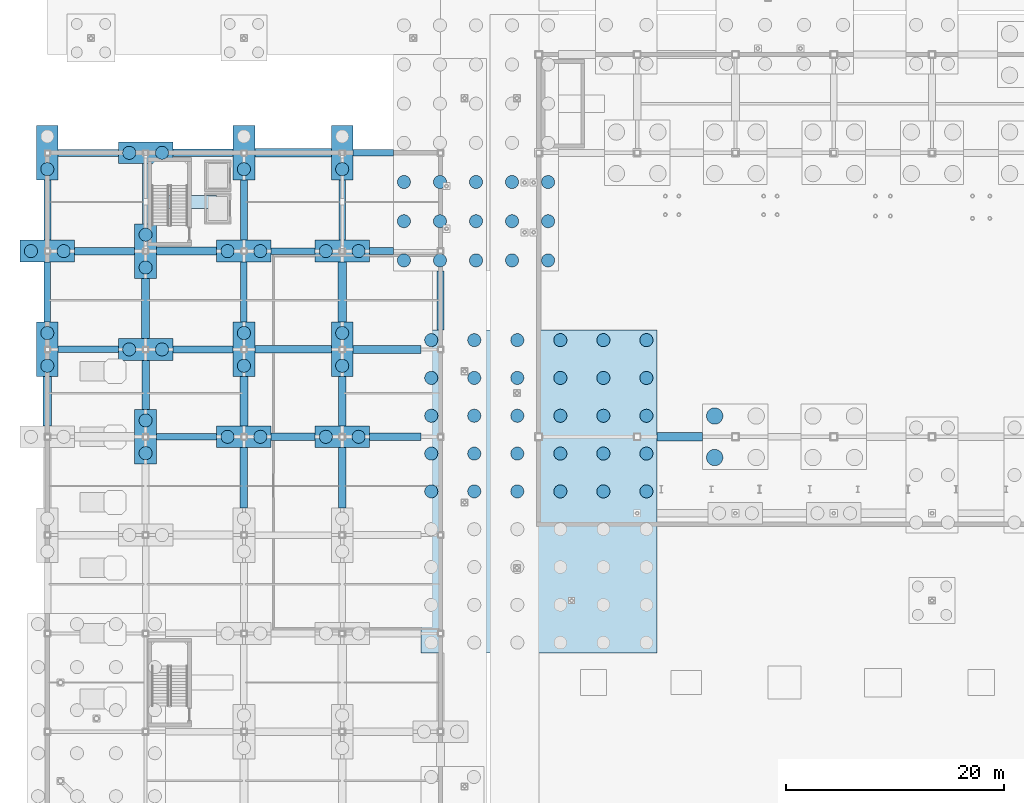
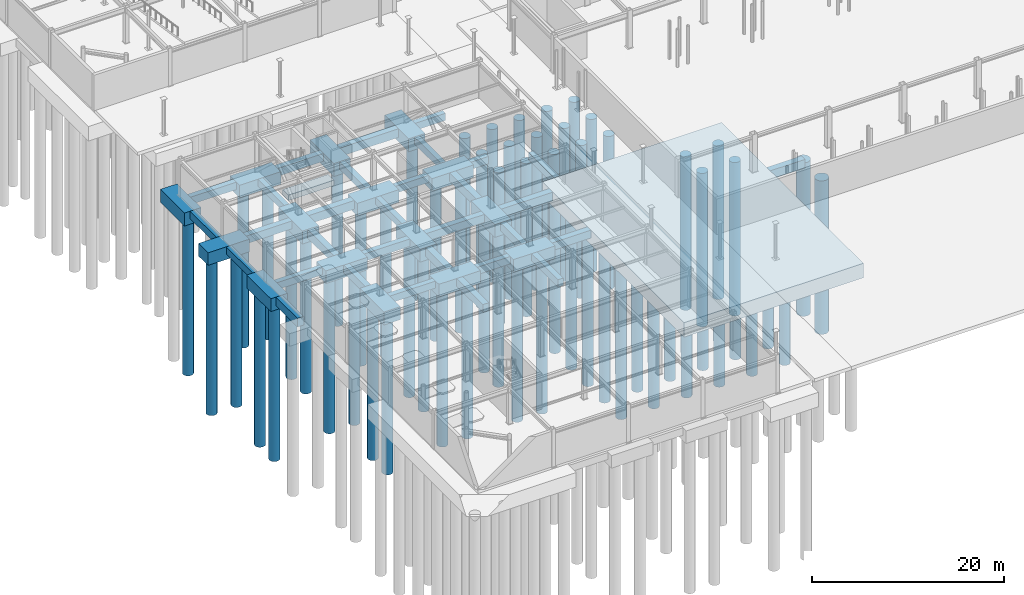
# One storey, part 2 of 74: 74 piles, 48 footings.
"""IFC4 building model written with IfcOpenShell, lengths in metres."""

from ifc_helpers import new_model, si_unit, direction, frame, origin, origin_2d, place, context, subcontext, project, spatial, polyline, rectangle, circle, outline, extrude, material, material_profile, profile_set, type_object, element, save


model = new_model("IFC4")

# Units and contexts
model_context = context("Model", 3, precision=1e-05, world=origin(), true_north=direction((0.0, 1.0)))
body_context = subcontext(model_context, "Body", "Model", "MODEL_VIEW")
ifc_project = project(units=[si_unit("LENGTHUNIT", "METRE"), si_unit("AREAUNIT", "SQUARE_METRE"), si_unit("VOLUMEUNIT", "CUBIC_METRE"), si_unit("PLANEANGLEUNIT", "RADIAN"), si_unit("MASSUNIT", "GRAM", prefix="KILO")], contexts=[model_context])

# Site, building, storey
site_placement = place(None, origin())
site = spatial("IfcSite", under=ifc_project, at=site_placement, CompositionType="ELEMENT")
building_placement = place(site_placement, origin())
building = spatial("IfcBuilding", under=site, at=building_placement, Name="Suzunagisa Mobility Hub", CompositionType="ELEMENT")
storey_placement = place(building_placement, frame((0.0, 0.0, -4.800048828125)))
storey = spatial("IfcBuildingStorey", under=building, at=storey_placement, Name="B1", CompositionType="ELEMENT", Elevation=-4.800048828125)

# Piles
ifc_material_1 = material(Name="Concrete C30/37", Category="concrete")
ifc_material_profile_1 = material_profile(ifc_material_1, circle(Radius=0.60009765625, at=origin_2d()), Name="BORED PILE D1200")
ifc_profile_set_1 = profile_set([ifc_material_profile_1], Name="Concrete C30/37")
pile_type_1 = type_object("IfcPileType", Name="Bored Pile PL-01 D1200", PredefinedType="BORED", material=ifc_profile_set_1)
for number, where, z_axis, x_axis, name in (
    (1, (0.0, 42.5, -1.919921875), (0.0, 0.0, -1.0), (1.0, 0.0, 0.0), "Bored Pile 4.1"),
    (2, (0.0, 45.5, -1.919921875), (0.0, 0.0, -1.0), (1.0, 0.0, 0.0), "Bored Pile 4.2"),
):
    element("IfcPile", number, at=place(storey_placement, frame(where, z_axis=z_axis, x_axis=x_axis)), inside=storey, type_object=pile_type_1, Name=name, PredefinedType="BORED", context=body_context, shape_type="SweptSolid", body=[
        extrude(circle(Radius=0.60009765625, at=origin_2d()), origin(), (0.0, 0.0, 1.0), 19.780029296875),
    ])
for number, where, z_axis, x_axis, name in (
    (3, (-1.5, 53.0, -1.869873046875), (0.0, 0.0, -1.0), (1.0, 0.0, 0.0), "Bored Pile 5.1"),
    (4, (1.5, 53.0, -1.869873046875), (0.0, 0.0, -1.0), (1.0, 0.0, 0.0), "Bored Pile 5.2"),
):
    element("IfcPile", number, at=place(storey_placement, frame(where, z_axis=z_axis, x_axis=x_axis)), inside=storey, type_object=pile_type_1, Name=name, PredefinedType="BORED", context=body_context, shape_type="SweptSolid", body=[
        extrude(circle(Radius=0.60009765625, at=origin_2d()), origin(), (0.0, 0.0, 1.0), 19.830078125),
    ])
for number, where, z_axis, x_axis, name in (
    (5, (0.0, 60.5, -1.919921875), (0.0, 0.0, -1.0), (1.0, 0.0, 0.0), "Bored Pile 6.1"),
    (6, (9.0, 34.5, -1.919921875), (0.0, 0.0, -1.0), (1.0, 0.0, 0.0), "Bored Pile 12.1"),
    (7, (9.0, 37.5, -1.919921875), (0.0, 0.0, -1.0), (1.0, 0.0, 0.0), "Bored Pile 12.2"),
):
    element("IfcPile", number, at=place(storey_placement, frame(where, z_axis=z_axis, x_axis=x_axis)), inside=storey, type_object=pile_type_1, Name=name, PredefinedType="BORED", context=body_context, shape_type="SweptSolid", body=[
        extrude(circle(Radius=0.60009765625, at=origin_2d()), origin(), (0.0, 0.0, 1.0), 19.780029296875),
    ])
for number, where, z_axis, x_axis, name in (
    (8, (7.5, 44.0, -1.869873046875), (0.0, 0.0, -1.0), (1.0, 0.0, 0.0), "Bored Pile 13.1"),
    (9, (10.5, 44.0, -1.869873046875), (0.0, 0.0, -1.0), (1.0, 0.0, 0.0), "Bored Pile 13.2"),
):
    element("IfcPile", number, at=place(storey_placement, frame(where, z_axis=z_axis, x_axis=x_axis)), inside=storey, type_object=pile_type_1, Name=name, PredefinedType="BORED", context=body_context, shape_type="SweptSolid", body=[
        extrude(circle(Radius=0.60009765625, at=origin_2d()), origin(), (0.0, 0.0, 1.0), 19.830078125),
    ])
for number, where, z_axis, x_axis, name in (
    (10, (9.0, 51.5, -1.919921875), (0.0, 0.0, -1.0), (1.0, 0.0, 0.0), "Bored Pile 14.1"),
    (11, (9.0, 54.5, -1.919921875), (0.0, 0.0, -1.0), (1.0, 0.0, 0.0), "Bored Pile 14.2"),
):
    element("IfcPile", number, at=place(storey_placement, frame(where, z_axis=z_axis, x_axis=x_axis)), inside=storey, type_object=pile_type_1, Name=name, PredefinedType="BORED", context=body_context, shape_type="SweptSolid", body=[
        extrude(circle(Radius=0.60009765625, at=origin_2d()), origin(), (0.0, 0.0, 1.0), 19.780029296875),
    ])
for number, where, z_axis, x_axis, name in (
    (12, (7.5, 62.0, -1.869873046875), (0.0, 0.0, -1.0), (1.0, 0.0, 0.0), "Bored Pile 15.1"),
    (13, (10.5, 62.0, -1.869873046875), (0.0, 0.0, -1.0), (1.0, 0.0, 0.0), "Bored Pile 15.2"),
    (14, (16.5, 36.0, -1.869873046875), (0.0, 0.0, -1.0), (1.0, 0.0, 0.0), "Bored Pile 21.1"),
    (15, (19.5, 36.0, -1.869873046875), (0.0, 0.0, -1.0), (1.0, 0.0, 0.0), "Bored Pile 21.2"),
):
    element("IfcPile", number, at=place(storey_placement, frame(where, z_axis=z_axis, x_axis=x_axis)), inside=storey, type_object=pile_type_1, Name=name, PredefinedType="BORED", context=body_context, shape_type="SweptSolid", body=[
        extrude(circle(Radius=0.60009765625, at=origin_2d()), origin(), (0.0, 0.0, 1.0), 19.830078125),
    ])
for number, where, z_axis, x_axis, name in (
    (16, (18.0, 42.5, -1.919921875), (0.0, 0.0, -1.0), (1.0, 0.0, 0.0), "Bored Pile 22.1"),
    (17, (18.0, 45.5, -1.919921875), (0.0, 0.0, -1.0), (1.0, 0.0, 0.0), "Bored Pile 22.2"),
):
    element("IfcPile", number, at=place(storey_placement, frame(where, z_axis=z_axis, x_axis=x_axis)), inside=storey, type_object=pile_type_1, Name=name, PredefinedType="BORED", context=body_context, shape_type="SweptSolid", body=[
        extrude(circle(Radius=0.60009765625, at=origin_2d()), origin(), (0.0, 0.0, 1.0), 19.780029296875),
    ])
for number, where, z_axis, x_axis, name in (
    (18, (16.5, 53.0, -1.869873046875), (0.0, 0.0, -1.0), (1.0, 0.0, 0.0), "Bored Pile 23.1"),
    (19, (19.5, 53.0, -1.869873046875), (0.0, 0.0, -1.0), (1.0, 0.0, 0.0), "Bored Pile 23.2"),
):
    element("IfcPile", number, at=place(storey_placement, frame(where, z_axis=z_axis, x_axis=x_axis)), inside=storey, type_object=pile_type_1, Name=name, PredefinedType="BORED", context=body_context, shape_type="SweptSolid", body=[
        extrude(circle(Radius=0.60009765625, at=origin_2d()), origin(), (0.0, 0.0, 1.0), 19.830078125),
    ])
pile_1_placement = place(storey_placement, frame((18.0, 60.5, -1.919921875), z_axis=(0.0, 0.0, -1.0), x_axis=(1.0, 0.0, 0.0)))
element("IfcPile", 20, at=pile_1_placement, inside=storey, type_object=pile_type_1, Name="Bored Pile 24.1", PredefinedType="BORED", context=body_context, shape_type="SweptSolid", body=[
    extrude(circle(Radius=0.60009765625, at=origin_2d()), origin(), (0.0, 0.0, 1.0), 19.780029296875),
])
for number, where, z_axis, x_axis, name in (
    (21, (25.5, 36.0, -1.869873046875), (0.0, 0.0, -1.0), (1.0, 0.0, 0.0), "Bored Pile 31.1"),
    (22, (28.5, 36.0, -1.869873046875), (0.0, 0.0, -1.0), (1.0, 0.0, 0.0), "Bored Pile 31.2"),
):
    element("IfcPile", number, at=place(storey_placement, frame(where, z_axis=z_axis, x_axis=x_axis)), inside=storey, type_object=pile_type_1, Name=name, PredefinedType="BORED", context=body_context, shape_type="SweptSolid", body=[
        extrude(circle(Radius=0.60009765625, at=origin_2d()), origin(), (0.0, 0.0, 1.0), 19.830078125),
    ])
for number, where, z_axis, x_axis, name in (
    (23, (27.0, 42.5, -1.919921875), (0.0, 0.0, -1.0), (1.0, 0.0, 0.0), "Bored Pile 32.1"),
    (24, (27.0, 45.5, -1.919921875), (0.0, 0.0, -1.0), (1.0, 0.0, 0.0), "Bored Pile 32.2"),
):
    element("IfcPile", number, at=place(storey_placement, frame(where, z_axis=z_axis, x_axis=x_axis)), inside=storey, type_object=pile_type_1, Name=name, PredefinedType="BORED", context=body_context, shape_type="SweptSolid", body=[
        extrude(circle(Radius=0.60009765625, at=origin_2d()), origin(), (0.0, 0.0, 1.0), 19.780029296875),
    ])
for number, where, z_axis, x_axis, name in (
    (25, (25.5, 53.0, -1.869873046875), (0.0, 0.0, -1.0), (1.0, 0.0, 0.0), "Bored Pile 33.1"),
    (26, (28.5, 53.0, -1.869873046875), (0.0, 0.0, -1.0), (1.0, 0.0, 0.0), "Bored Pile 33.2"),
):
    element("IfcPile", number, at=place(storey_placement, frame(where, z_axis=z_axis, x_axis=x_axis)), inside=storey, type_object=pile_type_1, Name=name, PredefinedType="BORED", context=body_context, shape_type="SweptSolid", body=[
        extrude(circle(Radius=0.60009765625, at=origin_2d()), origin(), (0.0, 0.0, 1.0), 19.830078125),
    ])
pile_2_placement = place(storey_placement, frame((27.0, 60.5, -1.919921875), z_axis=(0.0, 0.0, -1.0), x_axis=(1.0, 0.0, 0.0)))
element("IfcPile", 27, at=pile_2_placement, inside=storey, type_object=pile_type_1, Name="Bored Pile 34.1", PredefinedType="BORED", context=body_context, shape_type="SweptSolid", body=[
    extrude(circle(Radius=0.60009765625, at=origin_2d()), origin(), (0.0, 0.0, 1.0), 19.780029296875),
])
for number, where, z_axis, x_axis, name in (
    (28, (32.64990234375, 52.14990234375, -2.199951171875), (0.0, 0.0, -1.0), (1.0, 0.0, 0.0), "Bored Pile 35.1"),
    (29, (32.64990234375, 55.737548828125, -2.199951171875), (0.0, 0.0, -1.0), (1.0, 0.0, 0.0), "Bored Pile 35.2"),
    (30, (32.64990234375, 59.324951171875, -2.199951171875), (0.0, 0.0, -1.0), (1.0, 0.0, 0.0), "Bored Pile 35.3"),
    (31, (35.949951171875, 52.14990234375, -2.199951171875), (0.0, 0.0, -1.0), (1.0, 0.0, 0.0), "Bored Pile 35.10"),
    (32, (35.949951171875, 55.737548828125, -2.199951171875), (0.0, 0.0, -1.0), (1.0, 0.0, 0.0), "Bored Pile 35.11"),
    (33, (35.949951171875, 59.324951171875, -2.199951171875), (0.0, 0.0, -1.0), (1.0, 0.0, 0.0), "Bored Pile 35.12"),
    (34, (39.25, 52.14990234375, -2.199951171875), (0.0, 0.0, -1.0), (1.0, 0.0, 0.0), "Bored Pile 35.19"),
    (35, (39.25, 55.737548828125, -2.199951171875), (0.0, 0.0, -1.0), (1.0, 0.0, 0.0), "Bored Pile 35.20"),
    (36, (39.25, 59.324951171875, -2.199951171875), (0.0, 0.0, -1.0), (1.0, 0.0, 0.0), "Bored Pile 35.21"),
    (37, (42.550048828125, 52.14990234375, -2.199951171875), (0.0, 0.0, -1.0), (1.0, 0.0, 0.0), "Bored Pile 35.28"),
    (38, (42.550048828125, 55.737548828125, -2.199951171875), (0.0, 0.0, -1.0), (1.0, 0.0, 0.0), "Bored Pile 35.29"),
    (39, (42.550048828125, 59.324951171875, -2.199951171875), (0.0, 0.0, -1.0), (1.0, 0.0, 0.0), "Bored Pile 35.30"),
    (40, (45.85009765625, 52.14990234375, -2.199951171875), (0.0, 0.0, -1.0), (1.0, 0.0, 0.0), "Bored Pile 35.37"),
    (41, (45.85009765625, 55.737548828125, -2.199951171875), (0.0, 0.0, -1.0), (1.0, 0.0, 0.0), "Bored Pile 35.38"),
    (42, (45.85009765625, 59.324951171875, -2.199951171875), (0.0, 0.0, -1.0), (1.0, 0.0, 0.0), "Bored Pile 35.39"),
):
    element("IfcPile", number, at=place(storey_placement, frame(where, z_axis=z_axis, x_axis=x_axis)), inside=storey, type_object=pile_type_1, Name=name, PredefinedType="BORED", context=body_context, shape_type="SweptSolid", body=[
        extrude(circle(Radius=0.60009765625, at=origin_2d()), origin(), (0.0, 0.0, 1.0), 19.5),
    ])
for number, where, z_axis, x_axis, name in (
    (43, (35.14990234375, 31.0, -2.14990234375), (0.0, 0.0, -1.0), (1.0, 0.0, 0.0), "Bored Pile 38.5"),
    (44, (35.14990234375, 34.46240234375, -2.14990234375), (0.0, 0.0, -1.0), (1.0, 0.0, 0.0), "Bored Pile 38.6"),
    (45, (35.14990234375, 37.925048828125, -2.14990234375), (0.0, 0.0, -1.0), (1.0, 0.0, 0.0), "Bored Pile 38.7"),
    (46, (35.14990234375, 41.387451171875, -2.14990234375), (0.0, 0.0, -1.0), (1.0, 0.0, 0.0), "Bored Pile 38.8"),
    (47, (35.14990234375, 44.85009765625, -2.14990234375), (0.0, 0.0, -1.0), (1.0, 0.0, 0.0), "Bored Pile 38.9"),
    (48, (39.090087890625, 31.0, -2.14990234375), (0.0, 0.0, -1.0), (1.0, 0.0, 0.0), "Bored Pile 38.14"),
    (49, (39.090087890625, 34.46240234375, -2.14990234375), (0.0, 0.0, -1.0), (1.0, 0.0, 0.0), "Bored Pile 38.15"),
    (50, (39.090087890625, 37.925048828125, -2.14990234375), (0.0, 0.0, -1.0), (1.0, 0.0, 0.0), "Bored Pile 38.16"),
    (51, (39.090087890625, 41.387451171875, -2.14990234375), (0.0, 0.0, -1.0), (1.0, 0.0, 0.0), "Bored Pile 38.17"),
    (52, (39.090087890625, 44.85009765625, -2.14990234375), (0.0, 0.0, -1.0), (1.0, 0.0, 0.0), "Bored Pile 38.18"),
    (53, (43.030029296875, 31.0, -2.14990234375), (0.0, 0.0, -1.0), (1.0, 0.0, 0.0), "Bored Pile 38.23"),
    (54, (43.030029296875, 34.46240234375, -2.14990234375), (0.0, 0.0, -1.0), (1.0, 0.0, 0.0), "Bored Pile 38.24"),
    (55, (43.030029296875, 37.925048828125, -2.14990234375), (0.0, 0.0, -1.0), (1.0, 0.0, 0.0), "Bored Pile 38.25"),
    (56, (43.030029296875, 41.387451171875, -2.14990234375), (0.0, 0.0, -1.0), (1.0, 0.0, 0.0), "Bored Pile 38.26"),
    (57, (43.030029296875, 44.85009765625, -2.14990234375), (0.0, 0.0, -1.0), (1.0, 0.0, 0.0), "Bored Pile 38.27"),
    (58, (46.969970703125, 31.0, -2.14990234375), (0.0, 0.0, -1.0), (1.0, 0.0, 0.0), "Bored Pile 38.32"),
    (59, (46.969970703125, 34.46240234375, -2.14990234375), (0.0, 0.0, -1.0), (1.0, 0.0, 0.0), "Bored Pile 38.33"),
    (60, (46.969970703125, 37.925048828125, -2.14990234375), (0.0, 0.0, -1.0), (1.0, 0.0, 0.0), "Bored Pile 38.34"),
    (61, (46.969970703125, 41.387451171875, -2.14990234375), (0.0, 0.0, -1.0), (1.0, 0.0, 0.0), "Bored Pile 38.35"),
    (62, (46.969970703125, 44.85009765625, -2.14990234375), (0.0, 0.0, -1.0), (1.0, 0.0, 0.0), "Bored Pile 38.36"),
    (63, (50.909912109375, 31.0, -2.14990234375), (0.0, 0.0, -1.0), (1.0, 0.0, 0.0), "Bored Pile 38.41"),
    (64, (50.909912109375, 34.46240234375, -2.14990234375), (0.0, 0.0, -1.0), (1.0, 0.0, 0.0), "Bored Pile 38.42"),
    (65, (50.909912109375, 37.925048828125, -2.14990234375), (0.0, 0.0, -1.0), (1.0, 0.0, 0.0), "Bored Pile 38.43"),
    (66, (50.909912109375, 41.387451171875, -2.14990234375), (0.0, 0.0, -1.0), (1.0, 0.0, 0.0), "Bored Pile 38.44"),
    (67, (50.909912109375, 44.85009765625, -2.14990234375), (0.0, 0.0, -1.0), (1.0, 0.0, 0.0), "Bored Pile 38.45"),
    (68, (54.85009765625, 31.0, -2.14990234375), (0.0, 0.0, -1.0), (1.0, 0.0, 0.0), "Bored Pile 38.50"),
    (69, (54.85009765625, 34.46240234375, -2.14990234375), (0.0, 0.0, -1.0), (1.0, 0.0, 0.0), "Bored Pile 38.51"),
    (70, (54.85009765625, 37.925048828125, -2.14990234375), (0.0, 0.0, -1.0), (1.0, 0.0, 0.0), "Bored Pile 38.52"),
    (71, (54.85009765625, 41.387451171875, -2.14990234375), (0.0, 0.0, -1.0), (1.0, 0.0, 0.0), "Bored Pile 38.53"),
    (72, (54.85009765625, 44.85009765625, -2.14990234375), (0.0, 0.0, -1.0), (1.0, 0.0, 0.0), "Bored Pile 38.54"),
):
    element("IfcPile", number, at=place(storey_placement, frame(where, z_axis=z_axis, x_axis=x_axis)), inside=storey, type_object=pile_type_1, Name=name, PredefinedType="BORED", context=body_context, shape_type="SweptSolid", body=[
        extrude(circle(Radius=0.60009765625, at=origin_2d()), origin(), (0.0, 0.0, 1.0), 19.550048828125),
    ])
ifc_material_profile_2 = material_profile(ifc_material_1, circle(Radius=0.75, at=origin_2d()), Name="BORED PILE D1500")
ifc_profile_set_2 = profile_set([ifc_material_profile_2], Name="Concrete C30/37")
pile_type_2 = type_object("IfcPileType", Name="Bored Pile PL-03 D1500", PredefinedType="BORED", material=ifc_profile_set_2)
for number, where, z_axis, x_axis, name in (
    (73, (61.10009765625, 34.10009765625, -2.14990234375), (0.0, 0.0, -1.0), (1.0, 0.0, 0.0), "Bored Pile 50.1"),
    (74, (61.10009765625, 37.89990234375, -2.14990234375), (0.0, 0.0, -1.0), (1.0, 0.0, 0.0), "Bored Pile 50.3"),
):
    element("IfcPile", number, at=place(storey_placement, frame(where, z_axis=z_axis, x_axis=x_axis)), inside=storey, type_object=pile_type_2, Name=name, PredefinedType="BORED", context=body_context, shape_type="SweptSolid", body=[
        extrude(circle(Radius=0.75, at=origin_2d()), origin(), (0.0, 0.0, 1.0), 19.550048828125),
    ])

# Footings
ifc_material_2 = material(Name="Concrete C35/45", Category="concrete")
footing_type_1 = type_object("IfcFootingType", Name="Combined Prow Pile Cap FR-08 21600x29600x1850", PredefinedType="PILE_CAP", material=ifc_material_2)
footing_1_placement = place(storey_placement, frame((45.0, 31.0, -2.300048828125), z_axis=(0.0, 0.0, 1.0), x_axis=(1.0, 0.0, 0.0)))
element("IfcFooting", 75, at=footing_1_placement, inside=storey, type_object=footing_type_1, Name="Combined Prow Pile Cap 38", PredefinedType="PILE_CAP", context=body_context, shape_type="SweptSolid", body=[
    extrude(rectangle(XDim=21.60009765625, YDim=29.60009765625, at=origin_2d()), origin(), (0.0, 0.0, 1.0), 1.85009765625),
])
footing_type_2 = type_object("IfcFootingType", Name="Ground Tie Beam FT-03 750x1100", PredefinedType="FOOTING_BEAM", material=ifc_material_2)
footing_2_placement = place(storey_placement, frame((0.0, 0.0, -1.550048828125)))
element("IfcFooting", 76, at=footing_2_placement, inside=storey, type_object=footing_type_2, Name="Foundation Tie Beam TBX-40", PredefinedType="FOOTING_BEAM", context=body_context, shape_type="SweptSolid", body=[
    extrude(outline(polyline([(55.800048828125, 35.625), (60.0, 35.625), (60.0, 36.375), (55.800048828125, 36.375), (55.800048828125, 35.625)])), origin(), (0.0, 0.0, 1.0), 1.10009765625),
])
footing_3_placement = place(storey_placement, frame((0.0, 0.0, -1.550048828125)))
element("IfcFooting", 77, at=footing_3_placement, inside=storey, type_object=footing_type_2, Name="Foundation Tie Beam TBX-52", PredefinedType="FOOTING_BEAM", context=body_context, shape_type="SweptSolid", body=[
    extrude(outline(polyline([(28.0, 43.625), (34.199951171875, 43.625), (34.199951171875, 44.375), (28.0, 44.375), (28.0, 43.625)])), origin(), (0.0, 0.0, 1.0), 1.10009765625),
])
footing_4_placement = place(storey_placement, frame((0.0, 0.0, -1.52001953125)))
element("IfcFooting", 78, at=footing_4_placement, inside=storey, type_object=footing_type_2, Name="Foundation Tie Beam TBX-56", PredefinedType="FOOTING_BEAM", context=body_context, shape_type="SweptSolid", body=[
    extrude(outline(polyline([(10.0, 52.625), (15.5, 52.625), (15.5, 53.375), (10.0, 53.375), (10.0, 52.625)])), origin(), (0.0, 0.0, 1.0), 1.10009765625),
])
footing_5_placement = place(storey_placement, frame((0.0, 0.0, -1.52001953125)))
element("IfcFooting", 79, at=footing_5_placement, inside=storey, type_object=footing_type_2, Name="Foundation Tie Beam TBX-64", PredefinedType="FOOTING_BEAM", context=body_context, shape_type="SweptSolid", body=[
    extrude(outline(polyline([(19.0, 61.625), (26.0, 61.625), (26.0, 62.375), (19.0, 62.375), (19.0, 61.625)])), origin(), (0.0, 0.0, 1.0), 1.10009765625),
])
footing_6_placement = place(storey_placement, frame((0.0, 0.0, -1.52001953125)))
element("IfcFooting", 80, at=footing_6_placement, inside=storey, type_object=footing_type_2, Name="Foundation Tie Beam TBY-148", PredefinedType="FOOTING_BEAM", context=body_context, shape_type="SweptSolid", body=[
    extrude(outline(polyline([(-0.375, 37.0), (0.375, 37.0), (0.375, 41.5), (-0.375, 41.5), (-0.375, 37.0)])), origin(), (0.0, 0.0, 1.0), 1.10009765625),
])
footing_7_placement = place(storey_placement, frame((0.0, 0.0, -1.52001953125)))
element("IfcFooting", 81, at=footing_7_placement, inside=storey, type_object=footing_type_2, Name="Foundation Tie Beam TBY-156", PredefinedType="FOOTING_BEAM", context=body_context, shape_type="SweptSolid", body=[
    extrude(outline(polyline([(8.625, 45.0), (9.375, 45.0), (9.375, 50.5), (8.625, 50.5), (8.625, 45.0)])), origin(), (0.0, 0.0, 1.0), 1.10009765625),
])
footing_8_placement = place(storey_placement, frame((0.0, 0.0, -1.52001953125)))
element("IfcFooting", 82, at=footing_8_placement, inside=storey, type_object=footing_type_2, Name="Foundation Tie Beam TBY-164", PredefinedType="FOOTING_BEAM", context=body_context, shape_type="SweptSolid", body=[
    extrude(outline(polyline([(17.625, 37.0), (18.375, 37.0), (18.375, 41.5), (17.625, 41.5), (17.625, 37.0)])), origin(), (0.0, 0.0, 1.0), 1.10009765625),
])
footing_9_placement = place(storey_placement, frame((0.0, 0.0, -1.52001953125)))
element("IfcFooting", 83, at=footing_9_placement, inside=storey, type_object=footing_type_2, Name="Foundation Tie Beam TBY-172", PredefinedType="FOOTING_BEAM", context=body_context, shape_type="SweptSolid", body=[
    extrude(outline(polyline([(26.625, 46.5), (27.375, 46.5), (27.375, 52.0), (26.625, 52.0), (26.625, 46.5)])), origin(), (0.0, 0.0, 1.0), 1.10009765625),
])
footing_type_3 = type_object("IfcFootingType", Name="Ground Tie Beam FT-05 600x900", PredefinedType="FOOTING_BEAM", material=ifc_material_2)
footing_10_placement = place(storey_placement, frame((0.0, 0.0, -1.320068359375)))
element("IfcFooting", 84, at=footing_10_placement, inside=storey, type_object=footing_type_3, Name="Foundation Tie Beam TBX-37", PredefinedType="FOOTING_BEAM", context=body_context, shape_type="SweptSolid", body=[
    extrude(outline(polyline([(10.0, 35.699951171875), (15.5, 35.699951171875), (15.5, 36.300048828125), (10.0, 36.300048828125), (10.0, 35.699951171875)])), origin(), (0.0, 0.0, 1.0), 0.900146484375),
])
footing_11_placement = place(storey_placement, frame((0.0, 0.0, -1.320068359375)))
element("IfcFooting", 85, at=footing_11_placement, inside=storey, type_object=footing_type_3, Name="Foundation Tie Beam TBX-49", PredefinedType="FOOTING_BEAM", context=body_context, shape_type="SweptSolid", body=[
    extrude(outline(polyline([(1.0, 43.699951171875), (6.5, 43.699951171875), (6.5, 44.300048828125), (1.0, 44.300048828125), (1.0, 43.699951171875)])), origin(), (0.0, 0.0, 1.0), 0.900146484375),
])
footing_12_placement = place(storey_placement, frame((0.0, 0.0, -1.320068359375)))
element("IfcFooting", 86, at=footing_12_placement, inside=storey, type_object=footing_type_3, Name="Foundation Tie Beam TBX-57", PredefinedType="FOOTING_BEAM", context=body_context, shape_type="SweptSolid", body=[
    extrude(outline(polyline([(20.5, 52.699951171875), (24.5, 52.699951171875), (24.5, 53.300048828125), (20.5, 53.300048828125), (20.5, 52.699951171875)])), origin(), (0.0, 0.0, 1.0), 0.900146484375),
])
footing_13_placement = place(storey_placement, frame((0.0, 0.0, -1.39990234375)))
element("IfcFooting", 87, at=footing_13_placement, inside=storey, type_object=footing_type_3, Name="Foundation Tie Beam TBX-65", PredefinedType="FOOTING_BEAM", context=body_context, shape_type="SweptSolid", body=[
    extrude(outline(polyline([(28.0, 61.699951171875), (31.699951171875, 61.699951171875), (31.699951171875, 62.300048828125), (28.0, 62.300048828125), (28.0, 61.699951171875)])), origin(), (0.0, 0.0, 1.0), 0.89990234375),
])
footing_14_placement = place(storey_placement, frame((0.0, 0.0, -1.320068359375)))
element("IfcFooting", 88, at=footing_14_placement, inside=storey, type_object=footing_type_3, Name="Foundation Tie Beam TBY-149", PredefinedType="FOOTING_BEAM", context=body_context, shape_type="SweptSolid", body=[
    extrude(outline(polyline([(-0.300048828125, 46.5), (0.300048828125, 46.5), (0.300048828125, 52.0), (-0.300048828125, 52.0), (-0.300048828125, 46.5)])), origin(), (0.0, 0.0, 1.0), 0.900146484375),
])
footing_15_placement = place(storey_placement, frame((0.0, 0.0, -1.320068359375)))
element("IfcFooting", 89, at=footing_15_placement, inside=storey, type_object=footing_type_3, Name="Foundation Tie Beam TBY-157", PredefinedType="FOOTING_BEAM", context=body_context, shape_type="SweptSolid", body=[
    extrude(outline(polyline([(8.699951171875, 55.5), (9.300048828125, 55.5), (9.300048828125, 61.0), (8.699951171875, 61.0), (8.699951171875, 55.5)])), origin(), (0.0, 0.0, 1.0), 0.900146484375),
])
footing_16_placement = place(storey_placement, frame((0.0, 0.0, -1.320068359375)))
element("IfcFooting", 90, at=footing_16_placement, inside=storey, type_object=footing_type_3, Name="Foundation Tie Beam TBY-165", PredefinedType="FOOTING_BEAM", context=body_context, shape_type="SweptSolid", body=[
    extrude(outline(polyline([(17.699951171875, 46.5), (18.300048828125, 46.5), (18.300048828125, 52.0), (17.699951171875, 52.0), (17.699951171875, 46.5)])), origin(), (0.0, 0.0, 1.0), 0.900146484375),
])
footing_17_placement = place(storey_placement, frame((0.0, 0.0, -1.320068359375)))
element("IfcFooting", 91, at=footing_17_placement, inside=storey, type_object=footing_type_3, Name="Foundation Tie Beam TBY-173", PredefinedType="FOOTING_BEAM", context=body_context, shape_type="SweptSolid", body=[
    extrude(outline(polyline([(26.699951171875, 54.0), (27.300048828125, 54.0), (27.300048828125, 59.5), (26.699951171875, 59.5), (26.699951171875, 54.0)])), origin(), (0.0, 0.0, 1.0), 0.900146484375),
])
footing_type_4 = type_object("IfcFootingType", Name="Ground Tie Beam FT-07 650x950", PredefinedType="FOOTING_BEAM", material=ifc_material_2)
footing_18_placement = place(storey_placement, frame((0.0, 0.0, -1.369873046875)))
element("IfcFooting", 92, at=footing_18_placement, inside=storey, type_object=footing_type_4, Name="Foundation Tie Beam TBX-38", PredefinedType="FOOTING_BEAM", context=body_context, shape_type="SweptSolid", body=[
    extrude(outline(polyline([(20.5, 35.675048828125), (24.5, 35.675048828125), (24.5, 36.324951171875), (20.5, 36.324951171875), (20.5, 35.675048828125)])), origin(), (0.0, 0.0, 1.0), 0.949951171875),
])
footing_19_placement = place(storey_placement, frame((0.0, 0.0, -1.369873046875)))
element("IfcFooting", 93, at=footing_19_placement, inside=storey, type_object=footing_type_4, Name="Foundation Tie Beam TBX-50", PredefinedType="FOOTING_BEAM", context=body_context, shape_type="SweptSolid", body=[
    extrude(outline(polyline([(11.5, 43.675048828125), (17.0, 43.675048828125), (17.0, 44.324951171875), (11.5, 44.324951171875), (11.5, 43.675048828125)])), origin(), (0.0, 0.0, 1.0), 0.949951171875),
])
footing_20_placement = place(storey_placement, frame((0.0, 0.0, -1.449951171875)))
element("IfcFooting", 94, at=footing_20_placement, inside=storey, type_object=footing_type_4, Name="Foundation Tie Beam TBX-58", PredefinedType="FOOTING_BEAM", context=body_context, shape_type="SweptSolid", body=[
    extrude(outline(polyline([(29.5, 52.675048828125), (31.699951171875, 52.675048828125), (31.699951171875, 53.324951171875), (29.5, 53.324951171875), (29.5, 52.675048828125)])), origin(), (0.0, 0.0, 1.0), 0.949951171875),
])
footing_21_placement = place(storey_placement, frame((0.0, 0.0, -1.369873046875)))
element("IfcFooting", 95, at=footing_21_placement, inside=storey, type_object=footing_type_4, Name="Foundation Tie Beam TBX-62", PredefinedType="FOOTING_BEAM", context=body_context, shape_type="SweptSolid", body=[
    extrude(outline(polyline([(1.0, 61.675048828125), (6.5, 61.675048828125), (6.5, 62.324951171875), (1.0, 62.324951171875), (1.0, 61.675048828125)])), origin(), (0.0, 0.0, 1.0), 0.949951171875),
])
footing_22_placement = place(storey_placement, frame((0.0, 0.0, -1.369873046875)))
element("IfcFooting", 96, at=footing_22_placement, inside=storey, type_object=footing_type_4, Name="Foundation Tie Beam TBY-150", PredefinedType="FOOTING_BEAM", context=body_context, shape_type="SweptSolid", body=[
    extrude(outline(polyline([(-0.324951171875, 54.0), (0.324951171875, 54.0), (0.324951171875, 59.5), (-0.324951171875, 59.5), (-0.324951171875, 54.0)])), origin(), (0.0, 0.0, 1.0), 0.949951171875),
])
footing_23_placement = place(storey_placement, frame((0.0, 0.0, -1.369873046875)))
element("IfcFooting", 97, at=footing_23_placement, inside=storey, type_object=footing_type_4, Name="Foundation Tie Beam TBY-166", PredefinedType="FOOTING_BEAM", context=body_context, shape_type="SweptSolid", body=[
    extrude(outline(polyline([(17.675048828125, 54.0), (18.324951171875, 54.0), (18.324951171875, 59.5), (17.675048828125, 59.5), (17.675048828125, 54.0)])), origin(), (0.0, 0.0, 1.0), 0.949951171875),
])
footing_24_placement = place(storey_placement, frame((0.0, 0.0, -1.369873046875)))
element("IfcFooting", 98, at=footing_24_placement, inside=storey, type_object=footing_type_4, Name="Foundation Tie Beam TBY-170", PredefinedType="FOOTING_BEAM", context=body_context, shape_type="SweptSolid", body=[
    extrude(outline(polyline([(26.675048828125, 29.5), (27.324951171875, 29.5), (27.324951171875, 35.0), (26.675048828125, 35.0), (26.675048828125, 29.5)])), origin(), (0.0, 0.0, 1.0), 0.949951171875),
])
footing_25_placement = place(storey_placement, frame((0.0, 0.0, -1.449951171875)))
element("IfcFooting", 99, at=footing_25_placement, inside=storey, type_object=footing_type_4, Name="Foundation Tie Beam TBY-178", PredefinedType="FOOTING_BEAM", context=body_context, shape_type="SweptSolid", body=[
    extrude(outline(polyline([(35.675048828125, 45.800048828125), (36.324951171875, 45.800048828125), (36.324951171875, 51.199951171875), (35.675048828125, 51.199951171875), (35.675048828125, 45.800048828125)])), origin(), (0.0, 0.0, 1.0), 0.949951171875),
])
footing_type_5 = type_object("IfcFootingType", Name="Ground Tie Beam FT-23 700x1000", PredefinedType="FOOTING_BEAM", material=ifc_material_2)
footing_26_placement = place(storey_placement, frame((0.0, 0.0, -1.449951171875)))
element("IfcFooting", 100, at=footing_26_placement, inside=storey, type_object=footing_type_5, Name="Foundation Tie Beam TBX-39", PredefinedType="FOOTING_BEAM", context=body_context, shape_type="SweptSolid", body=[
    extrude(outline(polyline([(29.5, 35.64990234375), (34.199951171875, 35.64990234375), (34.199951171875, 36.35009765625), (29.5, 36.35009765625), (29.5, 35.64990234375)])), origin(), (0.0, 0.0, 1.0), 1.0),
])
footing_27_placement = place(storey_placement, frame((0.0, 0.0, -1.419921875)))
element("IfcFooting", 101, at=footing_27_placement, inside=storey, type_object=footing_type_5, Name="Foundation Tie Beam TBX-51", PredefinedType="FOOTING_BEAM", context=body_context, shape_type="SweptSolid", body=[
    extrude(outline(polyline([(19.0, 43.64990234375), (26.0, 43.64990234375), (26.0, 44.35009765625), (19.0, 44.35009765625), (19.0, 43.64990234375)])), origin(), (0.0, 0.0, 1.0), 1.0),
])
footing_28_placement = place(storey_placement, frame((0.0, 0.0, -1.419921875)))
element("IfcFooting", 102, at=footing_28_placement, inside=storey, type_object=footing_type_5, Name="Foundation Tie Beam TBX-55", PredefinedType="FOOTING_BEAM", context=body_context, shape_type="SweptSolid", body=[
    extrude(outline(polyline([(2.5, 52.64990234375), (8.0, 52.64990234375), (8.0, 53.35009765625), (2.5, 53.35009765625), (2.5, 52.64990234375)])), origin(), (0.0, 0.0, 1.0), 1.0),
])
footing_29_placement = place(storey_placement, frame((0.0, 0.0, -1.419921875)))
element("IfcFooting", 103, at=footing_29_placement, inside=storey, type_object=footing_type_5, Name="Foundation Tie Beam TBX-63", PredefinedType="FOOTING_BEAM", context=body_context, shape_type="SweptSolid", body=[
    extrude(outline(polyline([(11.5, 61.64990234375), (17.0, 61.64990234375), (17.0, 62.35009765625), (11.5, 62.35009765625), (11.5, 61.64990234375)])), origin(), (0.0, 0.0, 1.0), 1.0),
])
footing_30_placement = place(storey_placement, frame((0.0, 0.0, -1.419921875)))
element("IfcFooting", 104, at=footing_30_placement, inside=storey, type_object=footing_type_5, Name="Foundation Tie Beam TBY-155", PredefinedType="FOOTING_BEAM", context=body_context, shape_type="SweptSolid", body=[
    extrude(outline(polyline([(8.64990234375, 38.5), (9.35009765625, 38.5), (9.35009765625, 43.0), (8.64990234375, 43.0), (8.64990234375, 38.5)])), origin(), (0.0, 0.0, 1.0), 1.0),
])
footing_31_placement = place(storey_placement, frame((0.0, 0.0, -1.419921875)))
element("IfcFooting", 105, at=footing_31_placement, inside=storey, type_object=footing_type_5, Name="Foundation Tie Beam TBY-163", PredefinedType="FOOTING_BEAM", context=body_context, shape_type="SweptSolid", body=[
    extrude(outline(polyline([(17.64990234375, 29.5), (18.35009765625, 29.5), (18.35009765625, 35.0), (17.64990234375, 35.0), (17.64990234375, 29.5)])), origin(), (0.0, 0.0, 1.0), 1.0),
])
footing_32_placement = place(storey_placement, frame((0.0, 0.0, -1.419921875)))
element("IfcFooting", 106, at=footing_32_placement, inside=storey, type_object=footing_type_5, Name="Foundation Tie Beam TBY-171", PredefinedType="FOOTING_BEAM", context=body_context, shape_type="SweptSolid", body=[
    extrude(outline(polyline([(26.64990234375, 37.0), (27.35009765625, 37.0), (27.35009765625, 41.5), (26.64990234375, 41.5), (26.64990234375, 37.0)])), origin(), (0.0, 0.0, 1.0), 1.0),
])
footing_type_6 = type_object("IfcFootingType", Name="Pile Cap FT-06 5000x2000x1600", PredefinedType="PILE_CAP", material=ifc_material_2)
for number, where, z_axis, x_axis, name in (
    (107, (0.0, 53.0, -2.02001953125), (0.0, 0.0, 1.0), (1.0, 0.0, 0.0), "Pile Cap 5"),
    (108, (9.0, 44.0, -2.02001953125), (0.0, 0.0, 1.0), (1.0, 0.0, 0.0), "Pile Cap 13"),
    (109, (9.0, 62.0, -2.02001953125), (0.0, 0.0, 1.0), (1.0, 0.0, 0.0), "Pile Cap 15"),
    (110, (18.0, 36.0, -2.02001953125), (0.0, 0.0, 1.0), (1.0, 0.0, 0.0), "Pile Cap 21"),
    (111, (18.0, 53.0, -2.02001953125), (0.0, 0.0, 1.0), (1.0, 0.0, 0.0), "Pile Cap 23"),
    (112, (27.0, 36.0, -2.02001953125), (0.0, 0.0, 1.0), (1.0, 0.0, 0.0), "Pile Cap 31"),
    (113, (27.0, 53.0, -2.02001953125), (0.0, 0.0, 1.0), (1.0, 0.0, 0.0), "Pile Cap 33"),
):
    element("IfcFooting", number, at=place(storey_placement, frame(where, z_axis=z_axis, x_axis=x_axis)), inside=storey, type_object=footing_type_6, Name=name, PredefinedType="PILE_CAP", context=body_context, shape_type="SweptSolid", body=[
        extrude(rectangle(XDim=5.0, YDim=2.0, at=origin_2d()), origin(), (0.0, 0.0, 1.0), 1.60009765625),
    ])
footing_type_7 = type_object("IfcFootingType", Name="Pile Cap FT-12 2000x5000x1650", PredefinedType="PILE_CAP", material=ifc_material_2)
for number, where, z_axis, x_axis, name in (
    (114, (0.0, 44.0, -2.06982421875), (0.0, 0.0, 1.0), (1.0, 0.0, 0.0), "Pile Cap 4"),
    (115, (0.0, 62.0, -2.06982421875), (0.0, 0.0, 1.0), (1.0, 0.0, 0.0), "Pile Cap 6"),
    (116, (9.0, 36.0, -2.06982421875), (0.0, 0.0, 1.0), (1.0, 0.0, 0.0), "Pile Cap 12"),
    (117, (9.0, 53.0, -2.06982421875), (0.0, 0.0, 1.0), (1.0, 0.0, 0.0), "Pile Cap 14"),
    (118, (18.0, 44.0, -2.06982421875), (0.0, 0.0, 1.0), (1.0, 0.0, 0.0), "Pile Cap 22"),
    (119, (18.0, 62.0, -2.06982421875), (0.0, 0.0, 1.0), (1.0, 0.0, 0.0), "Pile Cap 24"),
    (120, (27.0, 44.0, -2.06982421875), (0.0, 0.0, 1.0), (1.0, 0.0, 0.0), "Pile Cap 32"),
    (121, (27.0, 62.0, -2.06982421875), (0.0, 0.0, 1.0), (1.0, 0.0, 0.0), "Pile Cap 34"),
):
    element("IfcFooting", number, at=place(storey_placement, frame(where, z_axis=z_axis, x_axis=x_axis)), inside=storey, type_object=footing_type_7, Name=name, PredefinedType="PILE_CAP", context=body_context, shape_type="SweptSolid", body=[
        extrude(rectangle(XDim=2.0, YDim=5.0, at=origin_2d()), origin(), (0.0, 0.0, 1.0), 1.64990234375),
    ])
footing_type_8 = type_object("IfcFootingType", Name="Strip Footing FT-13 1200x700", PredefinedType="STRIP_FOOTING", material=ifc_material_2)
footing_33_placement = place(storey_placement, frame((0.0, 0.0, -1.119873046875)))
element("IfcFooting", 122, at=footing_33_placement, inside=storey, type_object=footing_type_8, Name="Core Strip Footing SF-1", PredefinedType="STRIP_FOOTING", context=body_context, shape_type="SweptSolid", body=[
    extrude(outline(polyline([(10.0, 56.89990234375), (15.5, 56.89990234375), (15.5, 58.10009765625), (10.0, 58.10009765625), (10.0, 56.89990234375)])), origin(), (0.0, 0.0, 1.0), 0.699951171875),
])

save(model, "model.ifc")
